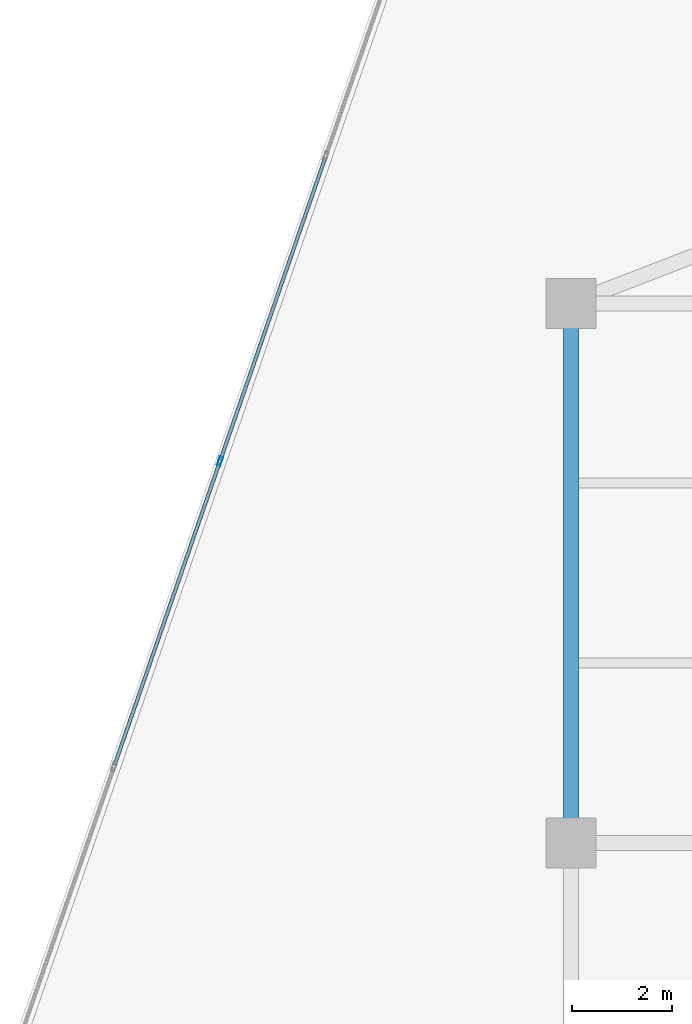
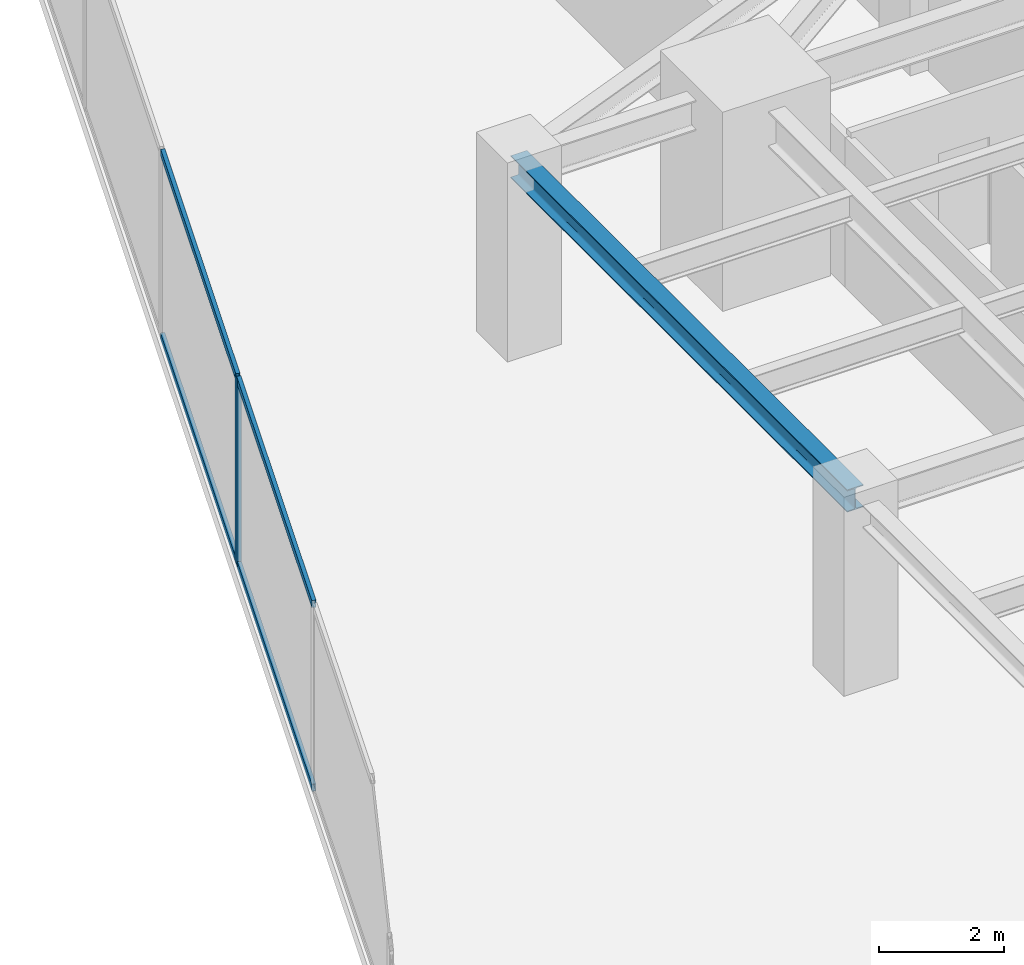
# One storey, part 14 of 28: 5 members, 1 beam, 1 element without a shape of its own.
"""IFC4 building model written with IfcOpenShell, lengths in metres."""

from ifc_helpers import new_model, si_unit, direction, frame, origin, origin_2d, place, context, subcontext, project, spatial, hollow_rectangle, i_section, extrude, source, transform, mapped, material, material_profile, profile_set, type_object, type_shapes, element, aggregate, save


model = new_model("IFC4")

# Units and contexts
model_context = context("Model", 3, precision=1e-05, world=origin(), true_north=direction((0.0, 1.0)))
body_context = subcontext(model_context, "Body", "Model", "MODEL_VIEW")
ifc_project = project(units=[si_unit("LENGTHUNIT", "METRE"), si_unit("AREAUNIT", "SQUARE_METRE"), si_unit("VOLUMEUNIT", "CUBIC_METRE"), si_unit("PLANEANGLEUNIT", "RADIAN"), si_unit("MASSUNIT", "GRAM", prefix="KILO")], contexts=[model_context])

# Site, building, storey
site_placement = place(None, origin())
site = spatial("IfcSite", under=ifc_project, at=site_placement, CompositionType="ELEMENT")
building_placement = place(site_placement, origin())
building = spatial("IfcBuilding", under=site, at=building_placement, Name="Krantzveldt Concourse Tower", CompositionType="ELEMENT")
storey_placement = place(building_placement, frame((0.0, 0.0, 117.699951171875)))
storey = spatial("IfcBuildingStorey", under=building, at=storey_placement, Name="L28", CompositionType="ELEMENT", Elevation=117.699951171875)

# Beam
ifc_material_1 = material(Name="Steel S355JR", Category="steel")
ifc_material_profile_1 = material_profile(ifc_material_1, i_section(OverallWidth=0.300048828125, OverallDepth=0.43994140625, WebThickness=0.011474609375, FlangeThickness=0.02099609375, FilletRadius=0.027099609375, at=origin_2d()), Name="Steel S355JR", Category="steel")
ifc_profile_set_1 = profile_set([ifc_material_profile_1], Name="Steel S355JR - HEA 450")
beam_type = type_object("IfcBeamType", Name="BM-SP-HEA450", PredefinedType="SPANDREL", material=ifc_profile_set_1)
shared_shape_1 = source(origin(), body_context, "Body", "SweptSolid", [
    extrude(i_section(OverallWidth=0.300048828125, OverallDepth=0.43994140625, WebThickness=0.011474609375, FlangeThickness=0.02099609375, FilletRadius=0.027099609375, at=origin_2d()), origin(), (0.0, 0.0, 1.0), 10.800048828125),
])
type_shapes(beam_type, [shared_shape_1])
beam_placement = place(storey_placement, frame((21.0, 26.699951171875, 3.449951171875), z_axis=(0.0, 1.0, 0.0), x_axis=(-1.0, 0.0, 0.0)))
element("IfcBeam", 1, at=beam_placement, inside=storey, type_object=beam_type, Name="L28 Tower Girder SP-R02", PredefinedType="SPANDREL", context=body_context, shape_type="MappedRepresentation", body=[
    mapped(shared_shape_1, transform((0.0, 0.0, 0.0), x_axis=(1.0, 0.0, 0.0), y_axis=(0.0, 1.0, 0.0), z_axis=(0.0, 0.0, 1.0), scale=1.0)),
])

# Curtain wall, members
ifc_material_2 = material(Name="Anodised aluminium 6063-T6", Category="aluminium")
curtain_wall_type = type_object("IfcCurtainWallType", Name="CW2", PredefinedType="USERDEFINED", material=ifc_material_2)
curtain_wall_placement = place(storey_placement, origin())
curtain_wall = element("IfcCurtainWall", 2, at=curtain_wall_placement, inside=storey, type_object=curtain_wall_type, Name="CW-L28-F01", ObjectType="UNITISED CURTAIN WALL", PredefinedType="USERDEFINED")
ifc_material_profile_2 = material_profile(ifc_material_2, hollow_rectangle(XDim=0.070068359375, YDim=0.179931640625, WallThickness=0.0048828125, at=origin_2d()), Name="Anodised aluminium 6063-T6", Category="aluminium")
ifc_profile_set_2 = profile_set([ifc_material_profile_2], Name="Anodised aluminium 6063-T6 - ALU-MULL 180x70x5")
member_type_1 = type_object("IfcMemberType", Name="CW-MUL-180", PredefinedType="MULLION", material=ifc_profile_set_2)
shared_shape_2 = source(origin(), body_context, "Body", "SweptSolid", [
    extrude(hollow_rectangle(XDim=0.070068359375, YDim=0.179931640625, WallThickness=0.0048828125, at=origin_2d()), origin(), (0.0, 0.0, 1.0), 3.670166015625),
])
type_shapes(member_type_1, [shared_shape_2])
member_1_placement = place(storey_placement, frame((13.9765625, 34.337158203125, 0.0), z_axis=(0.0, 0.0, 1.0), x_axis=(0.944806041446, -0.32763019404, 0.0)))
member_1 = element("IfcMember", 3, at=member_1_placement, type_object=member_type_1, Name="CW-Z12 mullion 4", PredefinedType="MULLION", context=body_context, shape_type="MappedRepresentation", body=[
    mapped(shared_shape_2, transform((0.0, 0.0, 0.0), x_axis=(1.0, 0.0, 0.0), y_axis=(0.0, 1.0, 0.0), z_axis=(0.0, 0.0, 1.0), scale=1.0)),
])
ifc_material_profile_3 = material_profile(ifc_material_2, hollow_rectangle(XDim=0.070068359375, YDim=0.139892578125, WallThickness=0.0048828125, at=origin_2d()), Name="Anodised aluminium 6063-T6", Category="aluminium")
ifc_profile_set_3 = profile_set([ifc_material_profile_3], Name="Anodised aluminium 6063-T6 - ALU-TRAN 140x70x5")
member_type_2 = type_object("IfcMemberType", Name="CW-TRN-150", PredefinedType="USERDEFINED", material=ifc_profile_set_3)
shared_shape_3 = source(origin(), body_context, "Body", "SweptSolid", [
    extrude(hollow_rectangle(XDim=0.070068359375, YDim=0.139892578125, WallThickness=0.0048828125, at=origin_2d()), origin(), (0.0, 0.0, 1.0), 6.396728515625),
])
member_2_placement = place(storey_placement, frame((16.083740234375, 40.413818359375, 0.03515625), z_axis=(-0.327620443666, -0.944809422525, 0.0), x_axis=(0.944809422525, -0.327620443666, 0.0)))
member_2 = element("IfcMember", 4, at=member_2_placement, type_object=member_type_2, Name="CW-Z12 transom 3.1", ObjectType="TRANSOM", PredefinedType="USERDEFINED", context=body_context, shape_type="MappedRepresentation", body=[
    mapped(shared_shape_3, transform((0.0, 0.0, 0.0), x_axis=(1.0, 0.0, 0.0), y_axis=(0.0, 1.0, 0.0), z_axis=(0.0, 0.0, 1.0), scale=1.0)),
])
member_3_placement = place(storey_placement, frame((16.083740234375, 40.413818359375, 3.635009765625), z_axis=(-0.327620443666, -0.944809422525, 0.0), x_axis=(0.944809422525, -0.327620443666, 0.0)))
member_3 = element("IfcMember", 5, at=member_3_placement, type_object=member_type_2, Name="CW-Z12 transom 3.2", ObjectType="TRANSOM", PredefinedType="USERDEFINED", context=body_context, shape_type="MappedRepresentation", body=[
    mapped(shared_shape_3, transform((0.0, 0.0, 0.0), x_axis=(1.0, 0.0, 0.0), y_axis=(0.0, 1.0, 0.0), z_axis=(0.0, 0.0, 1.0), scale=1.0)),
])
shared_shape_4 = source(origin(), body_context, "Body", "SweptSolid", [
    extrude(hollow_rectangle(XDim=0.070068359375, YDim=0.139892578125, WallThickness=0.0048828125, at=origin_2d()), origin(), (0.0, 0.0, 1.0), 6.396484375),
])
type_shapes(member_type_2, [shared_shape_3, shared_shape_4])
member_4_placement = place(storey_placement, frame((13.965087890625, 34.303955078125, 0.03515625), z_axis=(-0.327632258054, -0.944805325706, 0.0), x_axis=(0.944805325706, -0.327632258054, 0.0)))
member_4 = element("IfcMember", 6, at=member_4_placement, type_object=member_type_2, Name="CW-Z12 transom 4.1", ObjectType="TRANSOM", PredefinedType="USERDEFINED", context=body_context, shape_type="MappedRepresentation", body=[
    mapped(shared_shape_4, transform((0.0, 0.0, 0.0), x_axis=(1.0, 0.0, 0.0), y_axis=(0.0, 1.0, 0.0), z_axis=(0.0, 0.0, 1.0), scale=1.0)),
])
member_5_placement = place(storey_placement, frame((13.965087890625, 34.303955078125, 3.635009765625), z_axis=(-0.327632258054, -0.944805325706, 0.0), x_axis=(0.944805325706, -0.327632258054, 0.0)))
member_5 = element("IfcMember", 7, at=member_5_placement, type_object=member_type_2, Name="CW-Z12 transom 4.2", ObjectType="TRANSOM", PredefinedType="USERDEFINED", context=body_context, shape_type="MappedRepresentation", body=[
    mapped(shared_shape_4, transform((0.0, 0.0, 0.0), x_axis=(1.0, 0.0, 0.0), y_axis=(0.0, 1.0, 0.0), z_axis=(0.0, 0.0, 1.0), scale=1.0)),
])
aggregate(curtain_wall, [member_1, member_2, member_3, member_4, member_5])

save(model, "model.ifc")
